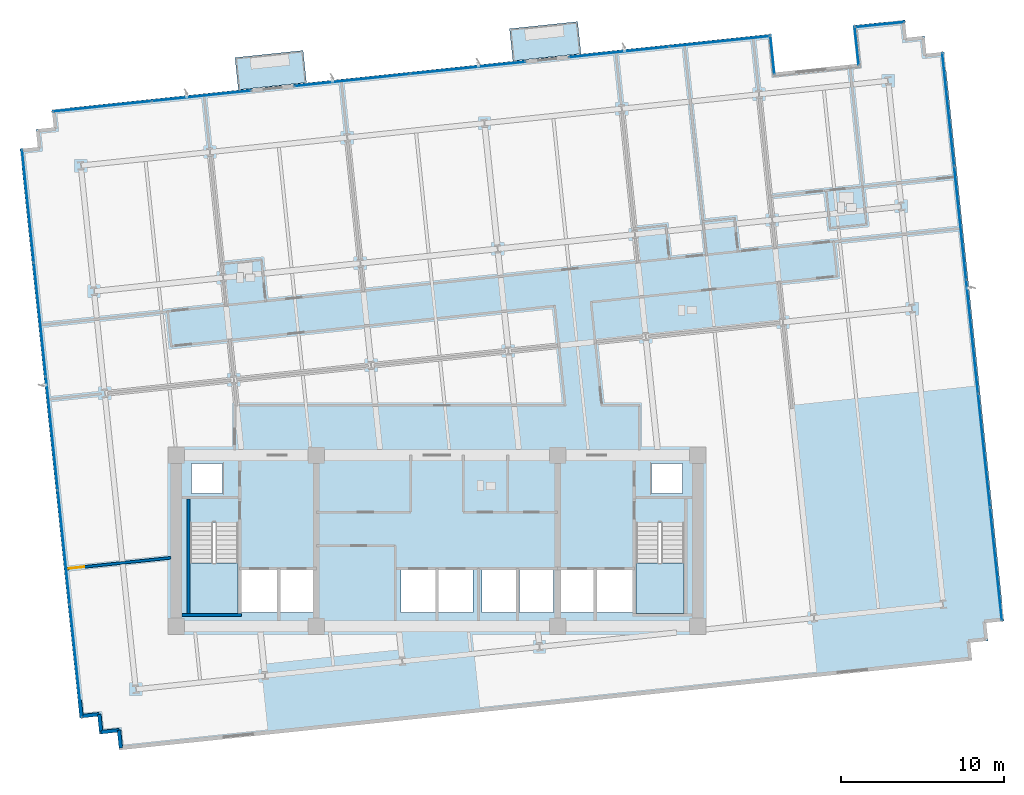
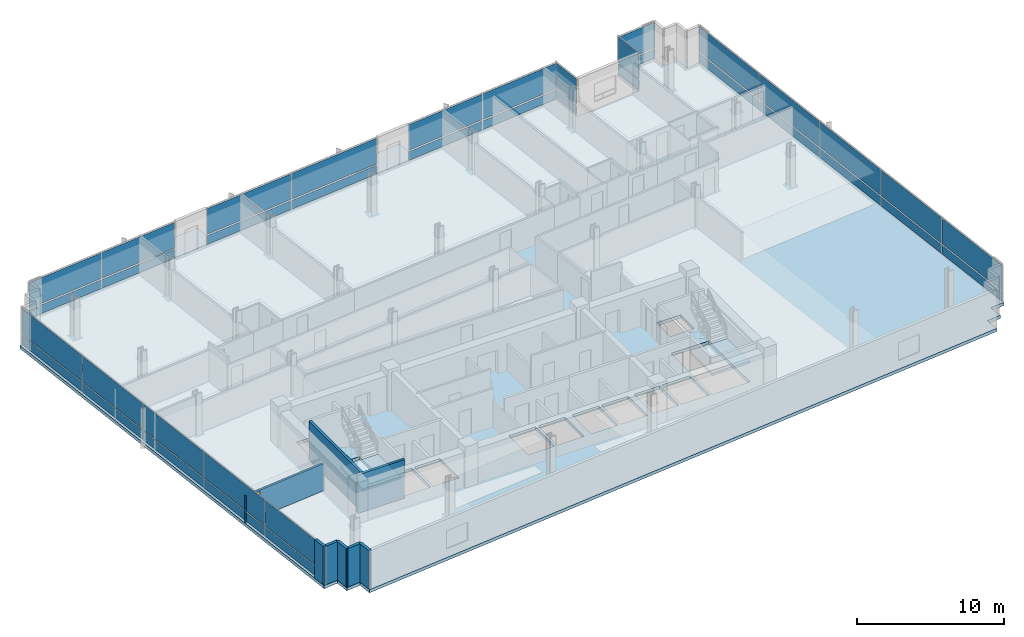
# One storey, part 12 of 21: 38 plates, 8 walls, 5 slabs, 1 door, 1 opening, 10 elements without a shape of their own.
"""IFC4 building model written with IfcOpenShell, lengths in metres."""

from ifc_helpers import new_model, si_unit, direction, frame, frame_2d, origin, origin_2d, place, context, subcontext, project, spatial, polyline, rectangle, outline, extrude, material, layer, layer_set, type_object, element, fill, aggregate, save


model = new_model("IFC4")

# Units and contexts
model_context = context("Model", 3, precision=1e-05, world=origin(), true_north=direction((0.0, 1.0)))
body_context = subcontext(model_context, "Body", "Model", "MODEL_VIEW")
ifc_project = project(units=[si_unit("LENGTHUNIT", "METRE"), si_unit("AREAUNIT", "SQUARE_METRE"), si_unit("VOLUMEUNIT", "CUBIC_METRE"), si_unit("PLANEANGLEUNIT", "RADIAN"), si_unit("MASSUNIT", "GRAM", prefix="KILO")], contexts=[model_context])

# Site, building, storey
site_placement = place(None, origin())
site = spatial("IfcSite", under=ifc_project, at=site_placement, CompositionType="ELEMENT")
building_placement = place(site_placement, origin())
building = spatial("IfcBuilding", under=site, at=building_placement, Name="Solmavex Isthmus Hotel", CompositionType="ELEMENT")
storey_placement = place(building_placement, frame((0.0, 0.0, 113.25)))
storey = spatial("IfcBuildingStorey", under=building, at=storey_placement, Name="L30", CompositionType="ELEMENT", Elevation=113.25)

# Curtain wall, plates
ifc_material_1 = material(Name="Aluminium alloy 6063-T6", Category="aluminium")
curtain_wall_type = type_object("IfcCurtainWallType", Name="CW-SYS-06", PredefinedType="NOTDEFINED", material=ifc_material_1)
curtain_wall_1_placement = place(storey_placement, origin())
curtain_wall_1 = element("IfcCurtainWall", 1, at=curtain_wall_1_placement, inside=storey, type_object=curtain_wall_type, Name="Stick Curtain Wall CWL-L30-SGW", PredefinedType="NOTDEFINED")
ifc_material_2 = material(Name="Clear low-E laminated glass", Category="glass")
ifc_layer_1 = layer(ifc_material_2, 0.028076171875)
ifc_layer_set_1 = layer_set([ifc_layer_1], Name="Clear low-E laminated glass")
plate_type = type_object("IfcPlateType", Name="CW-SYS-06-PNL", PredefinedType="CURTAIN_PANEL", material=ifc_layer_set_1)
plate_1_placement = place(storey_placement, frame((20.568603515625, 22.0703125, 0.114990234375), z_axis=(0.0, 0.0, 1.0), x_axis=(-0.10452840866, 0.994521901108, 0.0)))
plate_1 = element("IfcPlate", 2, at=plate_1_placement, type_object=plate_type, Name="CW-06 panel 1.1", PredefinedType="CURTAIN_PANEL", context=body_context, shape_type="SweptSolid", body=[
    extrude(rectangle(XDim=2.360107421875, YDim=0.028076171875, at=origin_2d()), origin(), (0.0, 0.0, 1.0), 0.7275390625),
])
plate_2_placement = place(storey_placement, frame((20.568603515625, 22.0703125, 0.95751953125), z_axis=(0.0, 0.0, 1.0), x_axis=(-0.10452840866, 0.994521901108, 0.0)))
plate_2 = element("IfcPlate", 3, at=plate_2_placement, type_object=plate_type, Name="CW-06 panel 1.2", PredefinedType="CURTAIN_PANEL", context=body_context, shape_type="SweptSolid", body=[
    extrude(rectangle(XDim=2.360107421875, YDim=0.028076171875, at=origin_2d()), origin(), (0.0, 0.0, 1.0), 2.117431640625),
])
aggregate(curtain_wall_1, [plate_1, plate_2])

curtain_wall_2_placement = place(storey_placement, origin())
curtain_wall_2 = element("IfcCurtainWall", 4, at=curtain_wall_2_placement, inside=storey, type_object=curtain_wall_type, Name="Stick Curtain Wall CWL-L30-SGE", PredefinedType="NOTDEFINED")
plate_3_placement = place(storey_placement, frame((25.740234375, 22.61376953125, 0.114990234375), z_axis=(0.0, 0.0, 1.0), x_axis=(-0.10452798949, 0.994521945164, 0.0)))
plate_3 = element("IfcPlate", 5, at=plate_3_placement, type_object=plate_type, Name="CW-06 panel 1.1", PredefinedType="CURTAIN_PANEL", context=body_context, shape_type="SweptSolid", body=[
    extrude(rectangle(XDim=2.360107421875, YDim=0.028076171875, at=origin_2d()), origin(), (0.0, 0.0, 1.0), 0.7275390625),
])
plate_4_placement = place(storey_placement, frame((25.740234375, 22.61376953125, 0.95751953125), z_axis=(0.0, 0.0, 1.0), x_axis=(-0.10452798949, 0.994521945164, 0.0)))
plate_4 = element("IfcPlate", 6, at=plate_4_placement, type_object=plate_type, Name="CW-06 panel 1.2", PredefinedType="CURTAIN_PANEL", context=body_context, shape_type="SweptSolid", body=[
    extrude(rectangle(XDim=2.360107421875, YDim=0.028076171875, at=origin_2d()), origin(), (0.0, 0.0, 1.0), 2.117431640625),
])
aggregate(curtain_wall_2, [plate_3, plate_4])

curtain_wall_3_placement = place(storey_placement, origin())
curtain_wall_3 = element("IfcCurtainWall", 7, at=curtain_wall_3_placement, inside=storey, type_object=curtain_wall_type, Name="Stick Curtain Wall CWL-L30-N1", PredefinedType="NOTDEFINED")
plate_5_placement = place(storey_placement, frame((-20.534423828125, 18.896484375, 0.114990234375), z_axis=(0.0, 0.0, 1.0), x_axis=(0.994521931062, 0.104528123665, 0.0)))
plate_5 = element("IfcPlate", 8, at=plate_5_placement, type_object=plate_type, Name="CW-06 panel 1.1", PredefinedType="CURTAIN_PANEL", context=body_context, shape_type="SweptSolid", body=[
    extrude(rectangle(XDim=6.060546875, YDim=0.028076171875, at=origin_2d()), origin(), (0.0, 0.0, 1.0), 0.7275390625),
])
plate_6_placement = place(storey_placement, frame((-20.534423828125, 18.896484375, 0.95751953125), z_axis=(0.0, 0.0, 1.0), x_axis=(0.994521931062, 0.104528123665, 0.0)))
plate_6 = element("IfcPlate", 9, at=plate_6_placement, type_object=plate_type, Name="CW-06 panel 1.2", PredefinedType="CURTAIN_PANEL", context=body_context, shape_type="SweptSolid", body=[
    extrude(rectangle(XDim=6.060546875, YDim=0.028076171875, at=origin_2d()), origin(), (0.0, 0.0, 1.0), 2.117431640625),
])
plate_7_placement = place(storey_placement, frame((-14.447509765625, 19.5361328125, 0.114990234375), z_axis=(0.0, 0.0, 1.0), x_axis=(0.994521931062, 0.104528123665, 0.0)))
plate_7 = element("IfcPlate", 10, at=plate_7_placement, type_object=plate_type, Name="CW-06 panel 2.1", PredefinedType="CURTAIN_PANEL", context=body_context, shape_type="SweptSolid", body=[
    extrude(rectangle(XDim=6.060546875, YDim=0.028076171875, at=origin_2d()), origin(), (0.0, 0.0, 1.0), 0.7275390625),
])
plate_8_placement = place(storey_placement, frame((-14.447509765625, 19.5361328125, 0.95751953125), z_axis=(0.0, 0.0, 1.0), x_axis=(0.994521931062, 0.104528123665, 0.0)))
plate_8 = element("IfcPlate", 11, at=plate_8_placement, type_object=plate_type, Name="CW-06 panel 2.2", PredefinedType="CURTAIN_PANEL", context=body_context, shape_type="SweptSolid", body=[
    extrude(rectangle(XDim=6.060546875, YDim=0.028076171875, at=origin_2d()), origin(), (0.0, 0.0, 1.0), 2.117431640625),
])
aggregate(curtain_wall_3, [plate_5, plate_6, plate_7, plate_8])

curtain_wall_4_placement = place(storey_placement, origin())
curtain_wall_4 = element("IfcCurtainWall", 12, at=curtain_wall_4_placement, inside=storey, type_object=curtain_wall_type, Name="Stick Curtain Wall CWL-L30-N2", PredefinedType="NOTDEFINED")
plate_9_placement = place(storey_placement, frame((-5.210205078125, 20.507080078125, 0.114990234375), z_axis=(0.0, 0.0, 1.0), x_axis=(0.994521911082, 0.104528313766, 0.0)))
plate_9 = element("IfcPlate", 13, at=plate_9_placement, type_object=plate_type, Name="CW-06 panel 1.1", PredefinedType="CURTAIN_PANEL", context=body_context, shape_type="SweptSolid", body=[
    extrude(rectangle(XDim=7.075927734375, YDim=0.028076171875, at=origin_2d()), origin(), (0.0, 0.0, 1.0), 0.7275390625),
])
plate_10_placement = place(storey_placement, frame((-5.210205078125, 20.507080078125, 0.95751953125), z_axis=(0.0, 0.0, 1.0), x_axis=(0.994521911082, 0.104528313766, 0.0)))
plate_10 = element("IfcPlate", 14, at=plate_10_placement, type_object=plate_type, Name="CW-06 panel 1.2", PredefinedType="CURTAIN_PANEL", context=body_context, shape_type="SweptSolid", body=[
    extrude(rectangle(XDim=7.075927734375, YDim=0.028076171875, at=origin_2d()), origin(), (0.0, 0.0, 1.0), 2.117431640625),
])
plate_11_placement = place(storey_placement, frame((1.88671875, 21.2529296875, 0.114990234375), z_axis=(0.0, 0.0, 1.0), x_axis=(0.994521911082, 0.104528313766, 0.0)))
plate_11 = element("IfcPlate", 15, at=plate_11_placement, type_object=plate_type, Name="CW-06 panel 2.1", PredefinedType="CURTAIN_PANEL", context=body_context, shape_type="SweptSolid", body=[
    extrude(rectangle(XDim=7.075927734375, YDim=0.028076171875, at=origin_2d()), origin(), (0.0, 0.0, 1.0), 0.7275390625),
])
plate_12_placement = place(storey_placement, frame((1.88671875, 21.2529296875, 0.95751953125), z_axis=(0.0, 0.0, 1.0), x_axis=(0.994521911082, 0.104528313766, 0.0)))
plate_12 = element("IfcPlate", 16, at=plate_12_placement, type_object=plate_type, Name="CW-06 panel 2.2", PredefinedType="CURTAIN_PANEL", context=body_context, shape_type="SweptSolid", body=[
    extrude(rectangle(XDim=7.075927734375, YDim=0.028076171875, at=origin_2d()), origin(), (0.0, 0.0, 1.0), 2.117431640625),
])
aggregate(curtain_wall_4, [plate_9, plate_10, plate_11, plate_12])

curtain_wall_5_placement = place(storey_placement, origin())
curtain_wall_5 = element("IfcCurtainWall", 17, at=curtain_wall_5_placement, inside=storey, type_object=curtain_wall_type, Name="Stick Curtain Wall CWL-L30-N3", PredefinedType="NOTDEFINED")
plate_13_placement = place(storey_placement, frame((11.165283203125, 22.228271484375, 0.114990234375), z_axis=(0.0, 0.0, 1.0), x_axis=(0.994521861028, 0.104528789991, 0.0)))
plate_13 = element("IfcPlate", 18, at=plate_13_placement, type_object=plate_type, Name="CW-06 panel 1.1", PredefinedType="CURTAIN_PANEL", context=body_context, shape_type="SweptSolid", body=[
    extrude(rectangle(XDim=6.1435546875, YDim=0.028076171875, at=origin_2d()), origin(), (0.0, 0.0, 1.0), 0.7275390625),
])
plate_14_placement = place(storey_placement, frame((11.165283203125, 22.228271484375, 0.95751953125), z_axis=(0.0, 0.0, 1.0), x_axis=(0.994521861028, 0.104528789991, 0.0)))
plate_14 = element("IfcPlate", 19, at=plate_14_placement, type_object=plate_type, Name="CW-06 panel 1.2", PredefinedType="CURTAIN_PANEL", context=body_context, shape_type="SweptSolid", body=[
    extrude(rectangle(XDim=6.1435546875, YDim=0.028076171875, at=origin_2d()), origin(), (0.0, 0.0, 1.0), 2.117431640625),
])
plate_15_placement = place(storey_placement, frame((17.3349609375, 22.876708984375, 0.114990234375), z_axis=(0.0, 0.0, 1.0), x_axis=(0.994521861028, 0.104528789991, 0.0)))
plate_15 = element("IfcPlate", 20, at=plate_15_placement, type_object=plate_type, Name="CW-06 panel 2.1", PredefinedType="CURTAIN_PANEL", context=body_context, shape_type="SweptSolid", body=[
    extrude(rectangle(XDim=6.1435546875, YDim=0.028076171875, at=origin_2d()), origin(), (0.0, 0.0, 1.0), 0.7275390625),
])
plate_16_placement = place(storey_placement, frame((17.3349609375, 22.876708984375, 0.95751953125), z_axis=(0.0, 0.0, 1.0), x_axis=(0.994521861028, 0.104528789991, 0.0)))
plate_16 = element("IfcPlate", 21, at=plate_16_placement, type_object=plate_type, Name="CW-06 panel 2.2", PredefinedType="CURTAIN_PANEL", context=body_context, shape_type="SweptSolid", body=[
    extrude(rectangle(XDim=6.1435546875, YDim=0.028076171875, at=origin_2d()), origin(), (0.0, 0.0, 1.0), 2.117431640625),
])
aggregate(curtain_wall_5, [plate_13, plate_14, plate_15, plate_16])

curtain_wall_6_placement = place(storey_placement, origin())
curtain_wall_6 = element("IfcCurtainWall", 22, at=curtain_wall_6_placement, inside=storey, type_object=curtain_wall_type, Name="Stick Curtain Wall CWL-L30-N4", PredefinedType="NOTDEFINED")
plate_17_placement = place(storey_placement, frame((27.16259765625, 23.909423828125, 0.114990234375), z_axis=(0.0, 0.0, 1.0), x_axis=(0.994521843706, 0.104528954802, 0.0)))
plate_17 = element("IfcPlate", 23, at=plate_17_placement, type_object=plate_type, Name="CW-06 panel 1.1", PredefinedType="CURTAIN_PANEL", context=body_context, shape_type="SweptSolid", body=[
    extrude(rectangle(XDim=2.97998046875, YDim=0.028076171875, at=origin_2d()), origin(), (0.0, 0.0, 1.0), 0.7275390625),
])
plate_18_placement = place(storey_placement, frame((27.16259765625, 23.909423828125, 0.95751953125), z_axis=(0.0, 0.0, 1.0), x_axis=(0.994521843706, 0.104528954802, 0.0)))
plate_18 = element("IfcPlate", 24, at=plate_18_placement, type_object=plate_type, Name="CW-06 panel 1.2", PredefinedType="CURTAIN_PANEL", context=body_context, shape_type="SweptSolid", body=[
    extrude(rectangle(XDim=2.97998046875, YDim=0.028076171875, at=origin_2d()), origin(), (0.0, 0.0, 1.0), 2.117431640625),
])
aggregate(curtain_wall_6, [plate_17, plate_18])

curtain_wall_7_placement = place(storey_placement, origin())
curtain_wall_7 = element("IfcCurtainWall", 25, at=curtain_wall_7_placement, inside=storey, type_object=curtain_wall_type, Name="Stick Curtain Wall CWL-L30-W1", PredefinedType="NOTDEFINED")
plate_19_placement = place(storey_placement, frame((-22.158447265625, -15.11474609375, 0.114990234375), z_axis=(0.0, 0.0, 1.0), x_axis=(-0.104528485381, 0.994521893044, 0.0)))
plate_19 = element("IfcPlate", 26, at=plate_19_placement, type_object=plate_type, Name="CW-06 panel 1.1", PredefinedType="CURTAIN_PANEL", context=body_context, shape_type="SweptSolid", body=[
    extrude(rectangle(XDim=6.929931640625, YDim=0.028076171875, at=origin_2d()), origin(), (0.0, 0.0, 1.0), 0.7275390625),
])
plate_20_placement = place(storey_placement, frame((-22.158447265625, -15.11474609375, 0.95751953125), z_axis=(0.0, 0.0, 1.0), x_axis=(-0.104528485381, 0.994521893044, 0.0)))
plate_20 = element("IfcPlate", 27, at=plate_20_placement, type_object=plate_type, Name="CW-06 panel 1.2", PredefinedType="CURTAIN_PANEL", context=body_context, shape_type="SweptSolid", body=[
    extrude(rectangle(XDim=6.929931640625, YDim=0.028076171875, at=origin_2d()), origin(), (0.0, 0.0, 1.0), 2.117431640625),
])
plate_21_placement = place(storey_placement, frame((-22.890625, -8.14794921875, 0.114990234375), z_axis=(0.0, 0.0, 1.0), x_axis=(-0.104528485381, 0.994521893044, 0.0)))
plate_21 = element("IfcPlate", 28, at=plate_21_placement, type_object=plate_type, Name="CW-06 panel 2.1", PredefinedType="CURTAIN_PANEL", context=body_context, shape_type="SweptSolid", body=[
    extrude(rectangle(XDim=6.9599609375, YDim=0.028076171875, at=origin_2d()), origin(), (0.0, 0.0, 1.0), 0.7275390625),
])
plate_22_placement = place(storey_placement, frame((-22.890625, -8.14794921875, 0.95751953125), z_axis=(0.0, 0.0, 1.0), x_axis=(-0.104528485381, 0.994521893044, 0.0)))
plate_22 = element("IfcPlate", 29, at=plate_22_placement, type_object=plate_type, Name="CW-06 panel 2.2", PredefinedType="CURTAIN_PANEL", context=body_context, shape_type="SweptSolid", body=[
    extrude(rectangle(XDim=6.9599609375, YDim=0.028076171875, at=origin_2d()), origin(), (0.0, 0.0, 1.0), 2.117431640625),
])
plate_23_placement = place(storey_placement, frame((-23.62451171875, -1.16650390625, 0.114990234375), z_axis=(0.0, 0.0, 1.0), x_axis=(-0.104528485381, 0.994521893044, 0.0)))
plate_23 = element("IfcPlate", 30, at=plate_23_placement, type_object=plate_type, Name="CW-06 panel 3.1", PredefinedType="CURTAIN_PANEL", context=body_context, shape_type="SweptSolid", body=[
    extrude(rectangle(XDim=6.9599609375, YDim=0.028076171875, at=origin_2d()), origin(), (0.0, 0.0, 1.0), 0.7275390625),
])
plate_24_placement = place(storey_placement, frame((-23.62451171875, -1.16650390625, 0.95751953125), z_axis=(0.0, 0.0, 1.0), x_axis=(-0.104528485381, 0.994521893044, 0.0)))
plate_24 = element("IfcPlate", 31, at=plate_24_placement, type_object=plate_type, Name="CW-06 panel 3.2", PredefinedType="CURTAIN_PANEL", context=body_context, shape_type="SweptSolid", body=[
    extrude(rectangle(XDim=6.9599609375, YDim=0.028076171875, at=origin_2d()), origin(), (0.0, 0.0, 1.0), 2.117431640625),
])
plate_25_placement = place(storey_placement, frame((-24.3583984375, 5.81494140625, 0.114990234375), z_axis=(0.0, 0.0, 1.0), x_axis=(-0.104528485381, 0.994521893044, 0.0)))
plate_25 = element("IfcPlate", 32, at=plate_25_placement, type_object=plate_type, Name="CW-06 panel 4.1", PredefinedType="CURTAIN_PANEL", context=body_context, shape_type="SweptSolid", body=[
    extrude(rectangle(XDim=6.9599609375, YDim=0.028076171875, at=origin_2d()), origin(), (0.0, 0.0, 1.0), 0.7275390625),
])
plate_26_placement = place(storey_placement, frame((-24.3583984375, 5.81494140625, 0.95751953125), z_axis=(0.0, 0.0, 1.0), x_axis=(-0.104528485381, 0.994521893044, 0.0)))
plate_26 = element("IfcPlate", 33, at=plate_26_placement, type_object=plate_type, Name="CW-06 panel 4.2", PredefinedType="CURTAIN_PANEL", context=body_context, shape_type="SweptSolid", body=[
    extrude(rectangle(XDim=6.9599609375, YDim=0.028076171875, at=origin_2d()), origin(), (0.0, 0.0, 1.0), 2.117431640625),
])
plate_27_placement = place(storey_placement, frame((-25.090576171875, 12.78173828125, 0.114990234375), z_axis=(0.0, 0.0, 1.0), x_axis=(-0.104528485381, 0.994521893044, 0.0)))
plate_27 = element("IfcPlate", 34, at=plate_27_placement, type_object=plate_type, Name="CW-06 panel 5.1", PredefinedType="CURTAIN_PANEL", context=body_context, shape_type="SweptSolid", body=[
    extrude(rectangle(XDim=6.929931640625, YDim=0.028076171875, at=origin_2d()), origin(), (0.0, 0.0, 1.0), 0.7275390625),
])
plate_28_placement = place(storey_placement, frame((-25.090576171875, 12.78173828125, 0.95751953125), z_axis=(0.0, 0.0, 1.0), x_axis=(-0.104528485381, 0.994521893044, 0.0)))
plate_28 = element("IfcPlate", 35, at=plate_28_placement, type_object=plate_type, Name="CW-06 panel 5.2", PredefinedType="CURTAIN_PANEL", context=body_context, shape_type="SweptSolid", body=[
    extrude(rectangle(XDim=6.929931640625, YDim=0.028076171875, at=origin_2d()), origin(), (0.0, 0.0, 1.0), 2.117431640625),
])
aggregate(curtain_wall_7, [plate_19, plate_20, plate_21, plate_22, plate_23, plate_24, plate_25, plate_26, plate_27, plate_28])

curtain_wall_8_placement = place(storey_placement, origin())
curtain_wall_8 = element("IfcCurtainWall", 36, at=curtain_wall_8_placement, inside=storey, type_object=curtain_wall_type, Name="Stick Curtain Wall CWL-L30-E1", PredefinedType="NOTDEFINED")
plate_29_placement = place(storey_placement, frame((34.29052734375, -9.181640625, 0.114990234375), z_axis=(0.0, 0.0, 1.0), x_axis=(-0.104528485381, 0.994521893044, 0.0)))
plate_29 = element("IfcPlate", 37, at=plate_29_placement, type_object=plate_type, Name="CW-06 panel 1.1", PredefinedType="CURTAIN_PANEL", context=body_context, shape_type="SweptSolid", body=[
    extrude(rectangle(XDim=6.929931640625, YDim=0.028076171875, at=origin_2d()), origin(), (0.0, 0.0, 1.0), 0.7275390625),
])
plate_30_placement = place(storey_placement, frame((34.29052734375, -9.181640625, 0.95751953125), z_axis=(0.0, 0.0, 1.0), x_axis=(-0.104528485381, 0.994521893044, 0.0)))
plate_30 = element("IfcPlate", 38, at=plate_30_placement, type_object=plate_type, Name="CW-06 panel 1.2", PredefinedType="CURTAIN_PANEL", context=body_context, shape_type="SweptSolid", body=[
    extrude(rectangle(XDim=6.929931640625, YDim=0.028076171875, at=origin_2d()), origin(), (0.0, 0.0, 1.0), 2.117431640625),
])
plate_31_placement = place(storey_placement, frame((33.558349609375, -2.215087890625, 0.114990234375), z_axis=(0.0, 0.0, 1.0), x_axis=(-0.104528485381, 0.994521893044, 0.0)))
plate_31 = element("IfcPlate", 39, at=plate_31_placement, type_object=plate_type, Name="CW-06 panel 2.1", PredefinedType="CURTAIN_PANEL", context=body_context, shape_type="SweptSolid", body=[
    extrude(rectangle(XDim=6.9599609375, YDim=0.028076171875, at=origin_2d()), origin(), (0.0, 0.0, 1.0), 0.7275390625),
])
plate_32_placement = place(storey_placement, frame((33.558349609375, -2.215087890625, 0.95751953125), z_axis=(0.0, 0.0, 1.0), x_axis=(-0.104528485381, 0.994521893044, 0.0)))
plate_32 = element("IfcPlate", 40, at=plate_32_placement, type_object=plate_type, Name="CW-06 panel 2.2", PredefinedType="CURTAIN_PANEL", context=body_context, shape_type="SweptSolid", body=[
    extrude(rectangle(XDim=6.9599609375, YDim=0.028076171875, at=origin_2d()), origin(), (0.0, 0.0, 1.0), 2.117431640625),
])
plate_33_placement = place(storey_placement, frame((32.824462890625, 4.7666015625, 0.114990234375), z_axis=(0.0, 0.0, 1.0), x_axis=(-0.104528485381, 0.994521893044, 0.0)))
plate_33 = element("IfcPlate", 41, at=plate_33_placement, type_object=plate_type, Name="CW-06 panel 3.1", PredefinedType="CURTAIN_PANEL", context=body_context, shape_type="SweptSolid", body=[
    extrude(rectangle(XDim=6.9599609375, YDim=0.028076171875, at=origin_2d()), origin(), (0.0, 0.0, 1.0), 0.7275390625),
])
plate_34_placement = place(storey_placement, frame((32.824462890625, 4.7666015625, 0.95751953125), z_axis=(0.0, 0.0, 1.0), x_axis=(-0.104528485381, 0.994521893044, 0.0)))
plate_34 = element("IfcPlate", 42, at=plate_34_placement, type_object=plate_type, Name="CW-06 panel 3.2", PredefinedType="CURTAIN_PANEL", context=body_context, shape_type="SweptSolid", body=[
    extrude(rectangle(XDim=6.9599609375, YDim=0.028076171875, at=origin_2d()), origin(), (0.0, 0.0, 1.0), 2.117431640625),
])
plate_35_placement = place(storey_placement, frame((32.0908203125, 11.748046875, 0.114990234375), z_axis=(0.0, 0.0, 1.0), x_axis=(-0.104528485381, 0.994521893044, 0.0)))
plate_35 = element("IfcPlate", 43, at=plate_35_placement, type_object=plate_type, Name="CW-06 panel 4.1", PredefinedType="CURTAIN_PANEL", context=body_context, shape_type="SweptSolid", body=[
    extrude(rectangle(XDim=6.9599609375, YDim=0.028076171875, at=origin_2d()), origin(), (0.0, 0.0, 1.0), 0.7275390625),
])
plate_36_placement = place(storey_placement, frame((32.0908203125, 11.748046875, 0.95751953125), z_axis=(0.0, 0.0, 1.0), x_axis=(-0.104528485381, 0.994521893044, 0.0)))
plate_36 = element("IfcPlate", 44, at=plate_36_placement, type_object=plate_type, Name="CW-06 panel 4.2", PredefinedType="CURTAIN_PANEL", context=body_context, shape_type="SweptSolid", body=[
    extrude(rectangle(XDim=6.9599609375, YDim=0.028076171875, at=origin_2d()), origin(), (0.0, 0.0, 1.0), 2.117431640625),
])
plate_37_placement = place(storey_placement, frame((31.358642578125, 18.714599609375, 0.114990234375), z_axis=(0.0, 0.0, 1.0), x_axis=(-0.104528485381, 0.994521893044, 0.0)))
plate_37 = element("IfcPlate", 45, at=plate_37_placement, type_object=plate_type, Name="CW-06 panel 5.1", PredefinedType="CURTAIN_PANEL", context=body_context, shape_type="SweptSolid", body=[
    extrude(rectangle(XDim=6.929931640625, YDim=0.028076171875, at=origin_2d()), origin(), (0.0, 0.0, 1.0), 0.7275390625),
])
plate_38_placement = place(storey_placement, frame((31.358642578125, 18.714599609375, 0.95751953125), z_axis=(0.0, 0.0, 1.0), x_axis=(-0.104528485381, 0.994521893044, 0.0)))
plate_38 = element("IfcPlate", 46, at=plate_38_placement, type_object=plate_type, Name="CW-06 panel 5.2", PredefinedType="CURTAIN_PANEL", context=body_context, shape_type="SweptSolid", body=[
    extrude(rectangle(XDim=6.929931640625, YDim=0.028076171875, at=origin_2d()), origin(), (0.0, 0.0, 1.0), 2.117431640625),
])
aggregate(curtain_wall_8, [plate_29, plate_30, plate_31, plate_32, plate_33, plate_34, plate_35, plate_36, plate_37, plate_38])

# Slabs
ifc_material_3 = material(Name="Concrete C40/50", Category="concrete")
ifc_layer_2 = layer(ifc_material_3, 0.239990234375)
ifc_layer_set_2 = layer_set([ifc_layer_2], Name="Concrete C40/50")
slab_type_1 = type_object("IfcSlabType", Name="SLAB-BALC-240", PredefinedType="FLOOR", material=ifc_layer_set_2)
slab_1_placement = place(storey_placement, frame((0.0, 0.0, -0.239990234375)))
element("IfcSlab", 47, at=slab_1_placement, inside=storey, type_object=slab_type_1, Name="Tree-Planter Balcony Slab L30-B1", PredefinedType="FLOOR", context=body_context, shape_type="SweptSolid", body=[
    extrude(outline(polyline([(-12.183837890625, 19.909912109375), (-8.0068359375, 20.348876953125), (-8.21435546875, 22.322998046875), (-12.391357421875, 21.884033203125), (-12.183837890625, 19.909912109375)])), origin(), (0.0, 0.0, 1.0), 0.239990234375),
])
slab_2_placement = place(storey_placement, frame((0.0, 0.0, -0.239990234375)))
element("IfcSlab", 48, at=slab_2_placement, inside=storey, type_object=slab_type_1, Name="Tree-Planter Balcony Slab L30-B2", PredefinedType="FLOOR", context=body_context, shape_type="SweptSolid", body=[
    extrude(outline(polyline([(4.6552734375, 21.6796875), (8.832275390625, 22.11865234375), (8.624755859375, 24.0927734375), (4.44775390625, 23.65380859375), (4.6552734375, 21.6796875)])), origin(), (0.0, 0.0, 1.0), 0.239990234375),
])
ifc_layer_3 = layer(ifc_material_3, 0.260009765625)
ifc_layer_set_3 = layer_set([ifc_layer_3], Name="Concrete C40/50")
slab_type_2 = type_object("IfcSlabType", Name="SLAB-TYP-260", PredefinedType="FLOOR", material=ifc_layer_set_3)
slab_3_placement = place(storey_placement, frame((0.0, 0.0, -0.260009765625)))
element("IfcSlab", 49, at=slab_3_placement, inside=storey, type_object=slab_type_2, Name="Tower Structural Floor Slab L30", PredefinedType="FLOOR", context=body_context, shape_type="SweptSolid", body=[
    extrude(outline(polyline([(22.8056640625, 23.572265625), (25.6083984375, 23.866943359375), (25.869873046875, 21.380615234375), (20.6982421875, 20.8369140625), (20.43701171875, 23.3232421875), (-22.5263671875, 18.8076171875), (-23.620361328125, 18.692626953125), (-23.50537109375, 17.5986328125), (-24.599365234375, 17.483642578125), (-24.484375, 16.389892578125), (-25.578369140625, 16.27490234375), (-25.46337890625, 15.180908203125), (-22.0244140625, -17.5390625), (-21.909423828125, -18.6328125), (-20.8154296875, -18.517822265625), (-20.700439453125, -19.61181640625), (-19.6064453125, -19.496826171875), (-19.491455078125, -20.5908203125), (-18.3974609375, -20.475830078125), (31.726318359375, -15.207763671875), (32.8203125, -15.0927734375), (32.705322265625, -13.998779296875), (33.79931640625, -13.8837890625), (33.684326171875, -12.789794921875), (34.7783203125, -12.6748046875), (34.663330078125, -11.580810546875), (31.224365234375, 21.138916015625), (31.109375, 22.23291015625), (30.015380859375, 22.117919921875), (29.900390625, 23.2119140625), (28.806396484375, 23.096923828125), (28.69140625, 24.19091796875), (27.597412109375, 24.075927734375), (22.8056640625, 23.572265625)]), holes=[polyline([(-15.14990234375, -6.617919921875), (-15.14990234375, -12.199951171875), (-12.199951171875, -12.199951171875), (-12.199951171875, -6.617919921875), (-15.14990234375, -6.617919921875)]), polyline([(12.199951171875, -6.617919921875), (12.199951171875, -12.199951171875), (15.14990234375, -12.199951171875), (15.14990234375, -6.617919921875), (12.199951171875, -6.617919921875)]), polyline([(-12.0, -12.14990234375), (-9.800048828125, -12.14990234375), (-9.800048828125, -9.550048828125), (-12.0, -9.550048828125), (-12.0, -12.14990234375)]), polyline([(9.800048828125, -12.14990234375), (12.0, -12.14990234375), (12.0, -9.550048828125), (9.800048828125, -9.550048828125), (9.800048828125, -12.14990234375)]), polyline([(-9.60009765625, -12.14990234375), (-7.60009765625, -12.14990234375), (-7.60009765625, -9.550048828125), (-9.60009765625, -9.550048828125), (-9.60009765625, -12.14990234375)]), polyline([(7.60009765625, -12.14990234375), (9.60009765625, -12.14990234375), (9.60009765625, -9.550048828125), (7.60009765625, -9.550048828125), (7.60009765625, -12.14990234375)]), polyline([(-2.199951171875, -12.14990234375), (-0.10009765625, -12.14990234375), (-0.10009765625, -9.550048828125), (-2.199951171875, -9.550048828125), (-2.199951171875, -12.14990234375)]), polyline([(0.10009765625, -12.14990234375), (2.199951171875, -12.14990234375), (2.199951171875, -9.550048828125), (0.10009765625, -9.550048828125), (0.10009765625, -12.14990234375)]), polyline([(2.75, -12.14990234375), (4.85009765625, -12.14990234375), (4.85009765625, -9.550048828125), (2.75, -9.550048828125), (2.75, -12.14990234375)]), polyline([(5.050048828125, -12.14990234375), (7.14990234375, -12.14990234375), (7.14990234375, -9.550048828125), (5.050048828125, -9.550048828125), (5.050048828125, -12.14990234375)]), polyline([(-15.050048828125, -4.85009765625), (-13.14990234375, -4.85009765625), (-13.14990234375, -3.0), (-15.050048828125, -3.0), (-15.050048828125, -4.85009765625)]), polyline([(13.14990234375, -4.85009765625), (15.050048828125, -4.85009765625), (15.050048828125, -3.0), (13.14990234375, -3.0), (13.14990234375, -4.85009765625)])]), origin(), (0.0, 0.0, 1.0), 0.260009765625),
])

# Stair, slab
stair_type_1 = type_object("IfcStairType", Name="STR-ST-1", PredefinedType="HALF_TURN_STAIR", material=ifc_material_3)
stair_1_placement = place(storey_placement, origin())
stair_1 = element("IfcStair", 50, at=stair_1_placement, inside=storey, type_object=stair_type_1, Name="L30 Protected Exit Stair ST-1", PredefinedType="HALF_TURN_STAIR")
ifc_layer_4 = layer(ifc_material_3, 0.219970703125)
ifc_layer_set_4 = layer_set([ifc_layer_4], Name="Concrete C40/50")
slab_type_3 = type_object("IfcSlabType", Name="SLD-ST-1", PredefinedType="LANDING", material=ifc_layer_set_4)
slab_4_placement = place(storey_placement, frame((0.0, 0.0, 1.52490234375)))
slab_4 = element("IfcSlab", 51, at=slab_4_placement, type_object=slab_type_3, Name="ST-1 landing 1", PredefinedType="LANDING", context=body_context, shape_type="SweptSolid", body=[
    extrude(outline(polyline([(-15.14990234375, -9.1201171875), (-15.14990234375, -12.199951171875), (-12.199951171875, -12.199951171875), (-12.199951171875, -9.1201171875), (-15.14990234375, -9.1201171875)])), origin(), (0.0, 0.0, 1.0), 0.2001953125),
])
aggregate(stair_1, [slab_4])

stair_type_2 = type_object("IfcStairType", Name="STR-ST-2", PredefinedType="HALF_TURN_STAIR", material=ifc_material_3)
stair_2_placement = place(storey_placement, origin())
stair_2 = element("IfcStair", 52, at=stair_2_placement, inside=storey, type_object=stair_type_2, Name="L30 Protected Exit Stair ST-2", PredefinedType="HALF_TURN_STAIR")
ifc_layer_5 = layer(ifc_material_3, 0.219970703125)
ifc_layer_set_5 = layer_set([ifc_layer_5], Name="Concrete C40/50")
slab_type_4 = type_object("IfcSlabType", Name="SLD-ST-2", PredefinedType="LANDING", material=ifc_layer_set_5)
slab_5_placement = place(storey_placement, frame((0.0, 0.0, 1.52490234375)))
slab_5 = element("IfcSlab", 53, at=slab_5_placement, type_object=slab_type_4, Name="ST-2 landing 1", PredefinedType="LANDING", context=body_context, shape_type="SweptSolid", body=[
    extrude(outline(polyline([(12.199951171875, -9.1201171875), (12.199951171875, -12.199951171875), (15.14990234375, -12.199951171875), (15.14990234375, -9.1201171875), (12.199951171875, -9.1201171875)])), origin(), (0.0, 0.0, 1.0), 0.2001953125),
])
aggregate(stair_2, [slab_5])

# Walls
ifc_material_4 = material(Name="Precast Concrete C40/50", Category="concrete")
ifc_layer_6 = layer(ifc_material_4, 0.25)
ifc_layer_set_6 = layer_set([ifc_layer_6], Name="Precast Concrete C40/50")
wall_type_1 = type_object("IfcWallType", Name="EW-TWR-250", PredefinedType="STANDARD", material=ifc_layer_set_6)
for number, where, z_axis, x_axis, name in (
    (54, (-19.3935546875, -20.469970703125, 0.0), (0.0, 0.0, 1.0), (-0.104534592565, 0.994521251134, 0.0), "Serrated Corner Facade Panel L30-01"),
    (55, (-19.508544921875, -19.3759765625, 0.0), (0.0, 0.0, 1.0), (-0.994521251134, -0.104534592565, 0.0), "Serrated Corner Facade Panel L30-02"),
    (56, (-20.6025390625, -19.490966796875, 0.0), (0.0, 0.0, 1.0), (-0.104534592565, 0.994521251134, 0.0), "Serrated Corner Facade Panel L30-03"),
    (57, (-20.717529296875, -18.39697265625, 0.0), (0.0, 0.0, 1.0), (-0.994521251134, -0.104534592565, 0.0), "Serrated Corner Facade Panel L30-04"),
):
    element("IfcWall", number, at=place(storey_placement, frame(where, z_axis=z_axis, x_axis=x_axis)), inside=storey, type_object=wall_type_1, Name=name, PredefinedType="STANDARD", context=body_context, shape_type="SweptSolid", body=[
        extrude(rectangle(XDim=1.10009765625, YDim=0.219970703125, at=frame_2d((0.550048828125, 0.0))), origin(), (0.0, 0.0, 1.0), 3.18994140625),
    ])
wall_1_placement = place(storey_placement, frame((-21.8115234375, -18.511962890625, 0.0), z_axis=(0.0, 0.0, 1.0), x_axis=(-0.104556418955, 0.99451895671, 0.0)))
element("IfcWall", 58, at=wall_1_placement, inside=storey, type_object=wall_type_1, Name="Serrated Corner Facade Panel L30-05", PredefinedType="STANDARD", context=body_context, shape_type="SweptSolid", body=[
    extrude(rectangle(XDim=0.989990234375, YDim=0.219970703125, at=frame_2d((0.4951171875, 0.0))), origin(), (0.0, 0.0, 1.0), 3.18994140625),
])

# Wall, opening, door
ifc_material_5 = material(Name="Gypsum plasterboard lining", Category="gypsum")
ifc_layer_7 = layer(ifc_material_5, 0.159912109375)
ifc_layer_set_7 = layer_set([ifc_layer_7], Name="Gypsum plasterboard lining")
wall_type_2 = type_object("IfcWallType", Name="IW-COMP-160", PredefinedType="PARTITIONING", material=ifc_layer_set_7)
wall_2_placement = place(storey_placement, frame((-16.310302734375, -8.793701171875, 0.0), z_axis=(0.0, 0.0, 1.0), x_axis=(-0.994522682543, -0.10452097353, 0.0)))
wall_2 = element("IfcWall", 59, at=wall_2_placement, inside=storey, type_object=wall_type_2, Name="Interior Partition Wall W-L30-P064", PredefinedType="PARTITIONING", context=body_context, shape_type="SweptSolid", body=[
    extrude(rectangle(XDim=6.516845703125, YDim=0.159912109375, at=frame_2d((3.25830078125, 0.0))), origin(), (0.0, 0.0, 1.0), 2.22509765625),
])
opening_placement = place(wall_2_placement, frame((5.35693359375, 0.0, 0.0)))
opening = element("IfcOpeningElement", 60, at=opening_placement, cuts=wall_2, Name="Opening ID-C095", PredefinedType="OPENING", context=body_context, shape_type="SweptSolid", body=[
    extrude(rectangle(XDim=0.949951171875, YDim=2.14990234375, at=frame_2d((0.47509765625, 1.074951171875))), frame((0.0, 0.08984375, 0.0), z_axis=(0.0, -1.0, 0.0), x_axis=(1.0, 0.0, 0.0)), (0.0, 0.0, 1.0), 0.179931640625),
])
ifc_material_6 = material(Name="Hardwood timber", Category="wood")
door_type = type_object("IfcDoorType", Name="IDR-FD60-0950", OperationType="NOTDEFINED", PredefinedType="DOOR", material=ifc_material_6)
door_placement = place(opening_placement, frame((0.949951171875, 0.0, 0.0), z_axis=(0.0, 0.0, 1.0), x_axis=(-1.0, 0.0, 0.0)))
door = element("IfcDoor", 61, at=door_placement, inside=storey, type_object=door_type, Name="Corporate Briefing Office Door L30-19", OperationType="SINGLE_SWING_LEFT", OverallHeight=2.14990234375, OverallWidth=0.949951171875, PredefinedType="DOOR", context=body_context, shape_type="SweptSolid", body=[
    extrude(rectangle(XDim=0.949951171875, YDim=2.14990234375, at=frame_2d((0.47509765625, 1.074951171875))), frame((0.0, 0.02490234375, 0.0), z_axis=(0.0, -1.0, 0.0), x_axis=(1.0, 0.0, 0.0)), (0.0, 0.0, 1.0), 0.050048828125),
])
fill(opening, door)

# Walls
ifc_layer_8 = layer(ifc_material_3, 0.199951171875)
ifc_layer_set_8 = layer_set([ifc_layer_8], Name="Concrete C40/50")
wall_type_3 = type_object("IfcWallType", Name="WALL-SW-200", PredefinedType="SOLIDWALL", material=ifc_layer_set_8)
wall_3_placement = place(storey_placement, frame((-15.64990234375, -12.300048828125, 0.0), z_axis=(0.0, 0.0, 1.0), x_axis=(1.0, 0.0, 0.0)))
element("IfcWall", 62, at=wall_3_placement, inside=storey, type_object=wall_type_3, Name="Stairwell Structural Wall SW-L30-ST1-S", PredefinedType="SOLIDWALL", context=body_context, shape_type="SweptSolid", body=[
    extrude(rectangle(XDim=3.64990234375, YDim=0.199951171875, at=frame_2d((1.824951171875, 0.0))), origin(), (0.0, 0.0, 1.0), 3.18994140625),
])
wall_4_placement = place(storey_placement, frame((-15.25, -12.199951171875, 0.0), z_axis=(0.0, 0.0, 1.0), x_axis=(0.0, 1.0, 0.0)))
element("IfcWall", 63, at=wall_4_placement, inside=storey, type_object=wall_type_3, Name="Stairwell Structural Wall SW-L30-ST1-W", PredefinedType="SOLIDWALL", context=body_context, shape_type="SweptSolid", body=[
    extrude(rectangle(XDim=7.0, YDim=0.199951171875, at=frame_2d((3.5, 0.0))), origin(), (0.0, 0.0, 1.0), 3.18994140625),
])

save(model, "model.ifc")
